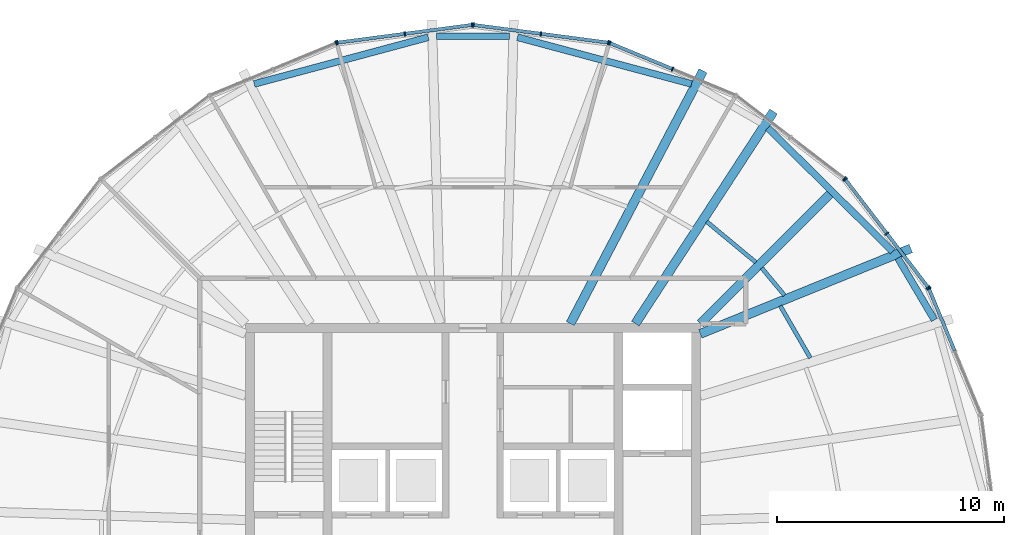
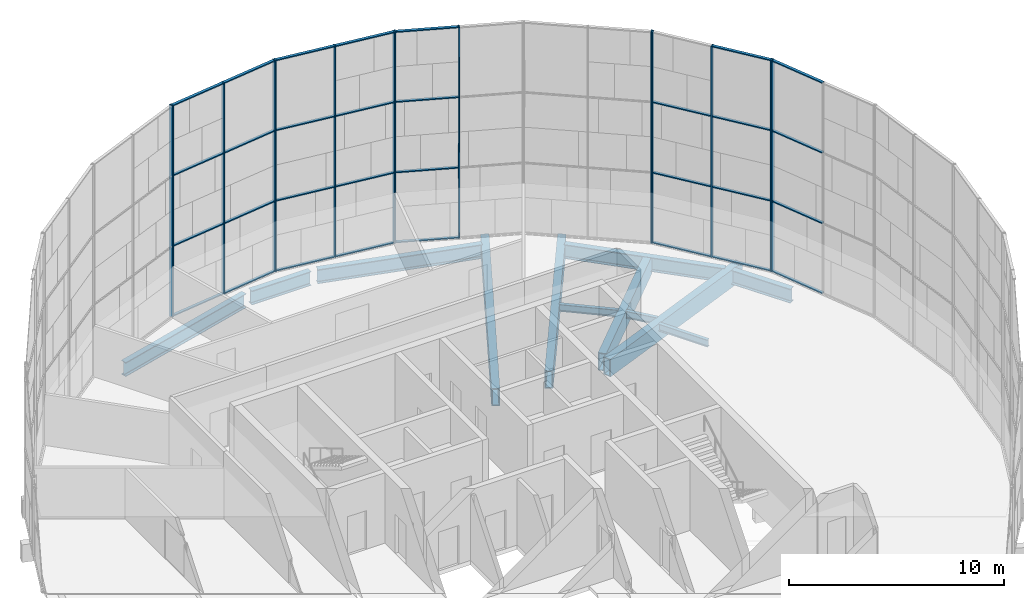
# One storey, part 7 of 23: 45 members, 12 beams, 7 elements without a shape of their own.
"""IFC4 building model written with IfcOpenShell, lengths in metres."""

from ifc_helpers import new_model, si_unit, direction, frame, origin, origin_2d, place, context, subcontext, project, spatial, rectangle, hollow_rectangle, i_section, extrude, material, material_profile, profile_set, type_object, element, aggregate, save


model = new_model("IFC4")

# Units and contexts
model_context = context("Model", 3, precision=1e-05, world=origin(), true_north=direction((0.0, 1.0)))
body_context = subcontext(model_context, "Body", "Model", "MODEL_VIEW")
ifc_project = project(units=[si_unit("LENGTHUNIT", "METRE"), si_unit("AREAUNIT", "SQUARE_METRE"), si_unit("VOLUMEUNIT", "CUBIC_METRE"), si_unit("PLANEANGLEUNIT", "RADIAN"), si_unit("MASSUNIT", "GRAM", prefix="KILO")], contexts=[model_context])

# Site, building, storey
site_placement = place(None, origin())
site = spatial("IfcSite", under=ifc_project, at=site_placement, CompositionType="ELEMENT")
building_placement = place(site_placement, origin())
building = spatial("IfcBuilding", under=site, at=building_placement, Name="Golbaran Civic Tower", CompositionType="ELEMENT")
storey_placement = place(building_placement, frame((0.0, 0.0, 220.0)))
storey = spatial("IfcBuildingStorey", under=building, at=storey_placement, Name="L53", CompositionType="ELEMENT", Elevation=220.0)

# Beams
ifc_material_1 = material(Name="Steel S355", Category="steel")
ifc_material_profile_1 = material_profile(ifc_material_1, i_section(OverallWidth=0.300048828125, OverallDepth=0.800048828125, WebThickness=0.017578125, FlangeThickness=0.032958984375, FilletRadius=0.030029296875, at=origin_2d()), Name="HEB 800")
ifc_profile_set_1 = profile_set([ifc_material_profile_1], Name="Steel S355")
beam_type_1 = type_object("IfcBeamType", Name="EDGE BEAM HEB 800", PredefinedType="BEAM", material=ifc_profile_set_1)
beam_1_placement = place(storey_placement, frame((20.289794921875, 10.162109375, -0.60009765625), z_axis=(-0.508797064338, 0.860886489219, 0.0), x_axis=(-0.860886489219, -0.508797064338, 0.0)))
element("IfcBeam", 1, at=beam_1_placement, inside=storey, type_object=beam_type_1, Name="Edge beam 25.65 L53", PredefinedType="BEAM", context=body_context, shape_type="SweptSolid", body=[
    extrude(i_section(OverallWidth=0.300048828125, OverallDepth=0.800048828125, WebThickness=0.017578125, FlangeThickness=0.032958984375, FilletRadius=0.030029296875, at=origin_2d()), origin(), (0.0, 0.0, 1.0), 3.156494140625),
])
beam_2_placement = place(storey_placement, frame((18.451904296875, 13.173828125, -0.60009765625), z_axis=(-0.710954638033, 0.703237870609, 0.0), x_axis=(-0.703237870609, -0.710954638033, 0.0)))
element("IfcBeam", 2, at=beam_2_placement, inside=storey, type_object=beam_type_1, Name="Edge beam 34.35 L53", PredefinedType="BEAM", context=body_context, shape_type="SweptSolid", body=[
    extrude(i_section(OverallWidth=0.300048828125, OverallDepth=0.800048828125, WebThickness=0.017578125, FlangeThickness=0.032958984375, FilletRadius=0.030029296875, at=origin_2d()), origin(), (0.0, 0.0, 1.0), 7.719482421875),
])
beam_3_placement = place(storey_placement, frame((9.61181640625, 20.534912109375, -0.60009765625), z_axis=(-0.965837946474, 0.259146794597, 0.0), x_axis=(-0.259146794597, -0.965837946474, 0.0)))
element("IfcBeam", 3, at=beam_3_placement, inside=storey, type_object=beam_type_1, Name="Edge beam 64.35 L53", PredefinedType="BEAM", context=body_context, shape_type="SweptSolid", body=[
    extrude(i_section(OverallWidth=0.300048828125, OverallDepth=0.800048828125, WebThickness=0.017578125, FlangeThickness=0.032958984375, FilletRadius=0.030029296875, at=origin_2d()), origin(), (0.0, 0.0, 1.0), 7.923095703125),
])
beam_4_placement = place(storey_placement, frame((1.6005859375, 22.63623046875, -0.60009765625), z_axis=(-1.0, 0.0, 0.0), x_axis=(0.0, -1.0, 0.0)))
element("IfcBeam", 4, at=beam_4_placement, inside=storey, type_object=beam_type_1, Name="Edge beam 85.65 L53", PredefinedType="BEAM", context=body_context, shape_type="SweptSolid", body=[
    extrude(i_section(OverallWidth=0.300048828125, OverallDepth=0.800048828125, WebThickness=0.017578125, FlangeThickness=0.032958984375, FilletRadius=0.030029296875, at=origin_2d()), origin(), (0.0, 0.0, 1.0), 3.201171875),
])
beam_5_placement = place(storey_placement, frame((-1.95947265625, 22.588134765625, -0.60009765625), z_axis=(-0.965837946474, -0.259146794597, 0.0), x_axis=(0.259146794597, -0.965837946474, 0.0)))
element("IfcBeam", 5, at=beam_5_placement, inside=storey, type_object=beam_type_1, Name="Edge beam 94.35 L53", PredefinedType="BEAM", context=body_context, shape_type="SweptSolid", body=[
    extrude(i_section(OverallWidth=0.300048828125, OverallDepth=0.800048828125, WebThickness=0.017578125, FlangeThickness=0.032958984375, FilletRadius=0.030029296875, at=origin_2d()), origin(), (0.0, 0.0, 1.0), 7.923095703125),
])
ifc_material_profile_2 = material_profile(ifc_material_1, i_section(OverallWidth=0.179931640625, OverallDepth=0.39990234375, WebThickness=0.008544921875, FlangeThickness=0.013427734375, FilletRadius=0.02099609375, at=origin_2d()), Name="IPE 400")
ifc_profile_set_2 = profile_set([ifc_material_profile_2], Name="Steel S355")
beam_type_2 = type_object("IfcBeamType", Name="FLOOR INFILL BEAM IPE 400", PredefinedType="BEAM", material=ifc_profile_set_2)
beam_6_placement = place(storey_placement, frame((14.8349609375, 8.490966796875, -0.39990234375), z_axis=(-0.500031469177, 0.866007234284, 0.0), x_axis=(-0.866007234284, -0.500031469177, 0.0)))
element("IfcBeam", 6, at=beam_6_placement, inside=storey, type_object=beam_type_2, Name="Infill beam 30.00 L53", PredefinedType="BEAM", context=body_context, shape_type="SweptSolid", body=[
    extrude(i_section(OverallWidth=0.179931640625, OverallDepth=0.39990234375, WebThickness=0.008544921875, FlangeThickness=0.013427734375, FilletRadius=0.02099609375, at=origin_2d()), origin(), (0.0, 0.0, 1.0), 2.644287109375),
])
beam_7_placement = place(storey_placement, frame((13.697265625, 11.244384765625, -0.39990234375), z_axis=(-0.638367510065, 0.769731720857, 0.0), x_axis=(-0.769731720857, -0.638367510065, 0.0)))
element("IfcBeam", 7, at=beam_7_placement, inside=storey, type_object=beam_type_2, Name="Infill beam 39.67 L53", PredefinedType="BEAM", context=body_context, shape_type="SweptSolid", body=[
    extrude(i_section(OverallWidth=0.179931640625, OverallDepth=0.39990234375, WebThickness=0.008544921875, FlangeThickness=0.013427734375, FilletRadius=0.02099609375, at=origin_2d()), origin(), (0.0, 0.0, 1.0), 1.56103515625),
])
beam_8_placement = place(storey_placement, frame((12.43798828125, 12.692626953125, -0.39990234375), z_axis=(-0.769689102047, 0.638418895546, 0.0), x_axis=(-0.638418895546, -0.769689102047, 0.0)))
element("IfcBeam", 8, at=beam_8_placement, inside=storey, type_object=beam_type_2, Name="Infill beam 50.33 L53", PredefinedType="BEAM", context=body_context, shape_type="SweptSolid", body=[
    extrude(i_section(OverallWidth=0.179931640625, OverallDepth=0.39990234375, WebThickness=0.008544921875, FlangeThickness=0.013427734375, FilletRadius=0.02099609375, at=origin_2d()), origin(), (0.0, 0.0, 1.0), 2.8046875),
])

# Curtain wall, member
ifc_material_2 = material(Name="Aluminium and glass", Category="aluminium")
curtain_wall_type = type_object("IfcCurtainWallType", Name="INNER SKIN CURTAIN WALL EXECUTIVE", PredefinedType="NOTDEFINED", material=ifc_material_2)
curtain_wall_1_placement = place(storey_placement, origin())
curtain_wall_1 = element("IfcCurtainWall", 9, at=curtain_wall_1_placement, inside=storey, type_object=curtain_wall_type, Name="Inner skin L53 facet 2 CW2", ObjectType="INNER SKIN", PredefinedType="USERDEFINED")
ifc_material_3 = material(Name="Aluminium", Category="aluminium")
ifc_material_profile_3 = material_profile(ifc_material_3, rectangle(XDim=0.199951171875, YDim=0.06005859375, at=origin_2d()), Name="INNER SKIN CURTAIN WALL EXECUTIVE MULLION")
ifc_profile_set_3 = profile_set([ifc_material_profile_3], Name="Aluminium")
member_type_1 = type_object("IfcMemberType", Name="INNER SKIN CURTAIN WALL EXECUTIVE MULLION", PredefinedType="MULLION", material=ifc_profile_set_3)
member_1_placement = place(storey_placement, frame((20.046142578125, 11.539306640625, 0.0), z_axis=(0.0, 0.0, 1.0), x_axis=(-0.923879532531, -0.382683432317, 0.0)))
member_1 = element("IfcMember", 10, at=member_1_placement, type_object=member_type_1, Name="CW2 mullion 3", PredefinedType="MULLION", context=body_context, shape_type="SweptSolid", body=[
    extrude(rectangle(XDim=0.199951171875, YDim=0.06005859375, at=origin_2d()), origin(), (0.0, 0.0, 1.0), 12.0),
])

# Curtain wall, members
curtain_wall_2_placement = place(storey_placement, origin())
curtain_wall_2 = element("IfcCurtainWall", 11, at=curtain_wall_2_placement, inside=storey, type_object=curtain_wall_type, Name="Inner skin L53 facet 3 CW2", ObjectType="INNER SKIN", PredefinedType="USERDEFINED")
member_2_placement = place(storey_placement, frame((20.016357421875, 11.5908203125, 0.0), z_axis=(0.0, 0.0, 1.0), x_axis=(-0.793353340312, -0.608761428981, 0.0)))
member_2 = element("IfcMember", 12, at=member_2_placement, type_object=member_type_1, Name="CW2 mullion 1", PredefinedType="MULLION", context=body_context, shape_type="SweptSolid", body=[
    extrude(rectangle(XDim=0.199951171875, YDim=0.06005859375, at=origin_2d()), origin(), (0.0, 0.0, 1.0), 12.0),
])
member_3_placement = place(storey_placement, frame((18.196533203125, 13.962646484375, 0.0), z_axis=(0.0, 0.0, 1.0), x_axis=(-0.793353340312, -0.608761428981, 0.0)))
member_3 = element("IfcMember", 13, at=member_3_placement, type_object=member_type_1, Name="CW2 mullion 2", PredefinedType="MULLION", context=body_context, shape_type="SweptSolid", body=[
    extrude(rectangle(XDim=0.199951171875, YDim=0.06005859375, at=origin_2d()), origin(), (0.0, 0.0, 1.0), 12.0),
])
member_4_placement = place(storey_placement, frame((16.37646484375, 16.33447265625, 0.0), z_axis=(0.0, 0.0, 1.0), x_axis=(-0.793353340312, -0.608761428981, 0.0)))
member_4 = element("IfcMember", 14, at=member_4_placement, type_object=member_type_1, Name="CW2 mullion 3", PredefinedType="MULLION", context=body_context, shape_type="SweptSolid", body=[
    extrude(rectangle(XDim=0.199951171875, YDim=0.06005859375, at=origin_2d()), origin(), (0.0, 0.0, 1.0), 12.0),
])

# Curtain wall, member
curtain_wall_3_placement = place(storey_placement, origin())
curtain_wall_3 = element("IfcCurtainWall", 15, at=curtain_wall_3_placement, inside=storey, type_object=curtain_wall_type, Name="Inner skin L53 facet 4 CW2", ObjectType="INNER SKIN", PredefinedType="USERDEFINED")
member_5_placement = place(storey_placement, frame((16.33447265625, 16.37646484375, 0.0), z_axis=(0.0, 0.0, 1.0), x_axis=(-0.608761428981, -0.793353340312, 0.0)))
member_5 = element("IfcMember", 16, at=member_5_placement, type_object=member_type_1, Name="CW2 mullion 1", PredefinedType="MULLION", context=body_context, shape_type="SweptSolid", body=[
    extrude(rectangle(XDim=0.199951171875, YDim=0.06005859375, at=origin_2d()), origin(), (0.0, 0.0, 1.0), 12.0),
])
aggregate(curtain_wall_3, [member_5])

# Curtain wall, members
curtain_wall_4_placement = place(storey_placement, origin())
curtain_wall_4 = element("IfcCurtainWall", 17, at=curtain_wall_4_placement, inside=storey, type_object=curtain_wall_type, Name="Inner skin L53 facet 5 CW2", ObjectType="INNER SKIN", PredefinedType="USERDEFINED")
member_6_placement = place(storey_placement, frame((8.77734375, 21.190185546875, 0.0), z_axis=(0.0, 0.0, 1.0), x_axis=(-0.382683432317, -0.923879532531, 0.0)))
member_6 = element("IfcMember", 18, at=member_6_placement, type_object=member_type_1, Name="CW2 mullion 2", PredefinedType="MULLION", context=body_context, shape_type="SweptSolid", body=[
    extrude(rectangle(XDim=0.199951171875, YDim=0.06005859375, at=origin_2d()), origin(), (0.0, 0.0, 1.0), 12.0),
])
member_7_placement = place(storey_placement, frame((6.01513671875, 22.334228515625, 0.0), z_axis=(0.0, 0.0, 1.0), x_axis=(-0.382683432317, -0.923879532531, 0.0)))
member_7 = element("IfcMember", 19, at=member_7_placement, type_object=member_type_1, Name="CW2 mullion 3", PredefinedType="MULLION", context=body_context, shape_type="SweptSolid", body=[
    extrude(rectangle(XDim=0.199951171875, YDim=0.06005859375, at=origin_2d()), origin(), (0.0, 0.0, 1.0), 12.0),
])

curtain_wall_5_placement = place(storey_placement, origin())
curtain_wall_5 = element("IfcCurtainWall", 20, at=curtain_wall_5_placement, inside=storey, type_object=curtain_wall_type, Name="Inner skin L53 facet 6 CW2", ObjectType="INNER SKIN", PredefinedType="USERDEFINED")
member_8_placement = place(storey_placement, frame((5.957763671875, 22.349609375, 0.0), z_axis=(0.0, 0.0, 1.0), x_axis=(-0.130526192289, -0.991444861365, 0.0)))
member_8 = element("IfcMember", 21, at=member_8_placement, type_object=member_type_1, Name="CW2 mullion 1", PredefinedType="MULLION", context=body_context, shape_type="SweptSolid", body=[
    extrude(rectangle(XDim=0.199951171875, YDim=0.06005859375, at=origin_2d()), origin(), (0.0, 0.0, 1.0), 12.0),
])
member_9_placement = place(storey_placement, frame((2.99365234375, 22.73974609375, 0.0), z_axis=(0.0, 0.0, 1.0), x_axis=(-0.130526192289, -0.991444861365, 0.0)))
member_9 = element("IfcMember", 22, at=member_9_placement, type_object=member_type_1, Name="CW2 mullion 2", PredefinedType="MULLION", context=body_context, shape_type="SweptSolid", body=[
    extrude(rectangle(XDim=0.199951171875, YDim=0.06005859375, at=origin_2d()), origin(), (0.0, 0.0, 1.0), 12.0),
])
member_10_placement = place(storey_placement, frame((0.02978515625, 23.130126953125, 0.0), z_axis=(0.0, 0.0, 1.0), x_axis=(-0.130526192289, -0.991444861365, 0.0)))
member_10 = element("IfcMember", 23, at=member_10_placement, type_object=member_type_1, Name="CW2 mullion 3", PredefinedType="MULLION", context=body_context, shape_type="SweptSolid", body=[
    extrude(rectangle(XDim=0.199951171875, YDim=0.06005859375, at=origin_2d()), origin(), (0.0, 0.0, 1.0), 12.0),
])

curtain_wall_6_placement = place(storey_placement, origin())
curtain_wall_6 = element("IfcCurtainWall", 24, at=curtain_wall_6_placement, inside=storey, type_object=curtain_wall_type, Name="Inner skin L53 facet 7 CW2", ObjectType="INNER SKIN", PredefinedType="USERDEFINED")
member_11_placement = place(storey_placement, frame((-0.02978515625, 23.130126953125, 0.0), z_axis=(0.0, 0.0, 1.0), x_axis=(0.130526192289, -0.991444861365, 0.0)))
member_11 = element("IfcMember", 25, at=member_11_placement, type_object=member_type_1, Name="CW2 mullion 1", PredefinedType="MULLION", context=body_context, shape_type="SweptSolid", body=[
    extrude(rectangle(XDim=0.199951171875, YDim=0.06005859375, at=origin_2d()), origin(), (0.0, 0.0, 1.0), 12.0),
])
member_12_placement = place(storey_placement, frame((-2.99365234375, 22.73974609375, 0.0), z_axis=(0.0, 0.0, 1.0), x_axis=(0.130526192289, -0.991444861365, 0.0)))
member_12 = element("IfcMember", 26, at=member_12_placement, type_object=member_type_1, Name="CW2 mullion 2", PredefinedType="MULLION", context=body_context, shape_type="SweptSolid", body=[
    extrude(rectangle(XDim=0.199951171875, YDim=0.06005859375, at=origin_2d()), origin(), (0.0, 0.0, 1.0), 12.0),
])
member_13_placement = place(storey_placement, frame((-5.957763671875, 22.349609375, 0.0), z_axis=(0.0, 0.0, 1.0), x_axis=(0.130526192289, -0.991444861365, 0.0)))
member_13 = element("IfcMember", 27, at=member_13_placement, type_object=member_type_1, Name="CW2 mullion 3", PredefinedType="MULLION", context=body_context, shape_type="SweptSolid", body=[
    extrude(rectangle(XDim=0.199951171875, YDim=0.06005859375, at=origin_2d()), origin(), (0.0, 0.0, 1.0), 12.0),
])

# Curtain wall, member
curtain_wall_7_placement = place(storey_placement, origin())
curtain_wall_7 = element("IfcCurtainWall", 28, at=curtain_wall_7_placement, inside=storey, type_object=curtain_wall_type, Name="Inner skin L53 facet 8 CW2", ObjectType="INNER SKIN", PredefinedType="USERDEFINED")
member_14_placement = place(storey_placement, frame((-6.01513671875, 22.334228515625, 0.0), z_axis=(0.0, 0.0, 1.0), x_axis=(0.382683432317, -0.923879532531, 0.0)))
member_14 = element("IfcMember", 29, at=member_14_placement, type_object=member_type_1, Name="CW2 mullion 1", PredefinedType="MULLION", context=body_context, shape_type="SweptSolid", body=[
    extrude(rectangle(XDim=0.199951171875, YDim=0.06005859375, at=origin_2d()), origin(), (0.0, 0.0, 1.0), 12.0),
])
aggregate(curtain_wall_7, [member_14])

# Member
ifc_material_profile_4 = material_profile(ifc_material_3, rectangle(XDim=0.14990234375, YDim=0.06005859375, at=origin_2d()), Name="INNER SKIN CURTAIN WALL EXECUTIVE TRANSOM")
ifc_profile_set_4 = profile_set([ifc_material_profile_4], Name="Aluminium")
member_type_2 = type_object("IfcMemberType", Name="INNER SKIN CURTAIN WALL EXECUTIVE TRANSOM", PredefinedType="USERDEFINED", material=ifc_profile_set_4)
member_15_placement = place(storey_placement, frame((21.1787109375, 8.804931640625, 0.030029296875), z_axis=(-0.382685455921, 0.923878694324, 0.0), x_axis=(-0.923878694324, -0.382685455921, 0.0)))
member_15 = element("IfcMember", 30, at=member_15_placement, type_object=member_type_2, Name="CW2 transom 2.1", ObjectType="TRANSOM", PredefinedType="USERDEFINED", context=body_context, shape_type="SweptSolid", body=[
    extrude(rectangle(XDim=0.14990234375, YDim=0.06005859375, at=origin_2d()), origin(), (0.0, 0.0, 1.0), 2.929443359375),
])

member_16_placement = place(storey_placement, frame((21.1787109375, 8.804931640625, 4.0), z_axis=(-0.382685455921, 0.923878694324, 0.0), x_axis=(-0.923878694324, -0.382685455921, 0.0)))
member_16 = element("IfcMember", 31, at=member_16_placement, type_object=member_type_2, Name="CW2 transom 2.2", ObjectType="TRANSOM", PredefinedType="USERDEFINED", context=body_context, shape_type="SweptSolid", body=[
    extrude(rectangle(XDim=0.14990234375, YDim=0.06005859375, at=origin_2d()), origin(), (0.0, 0.0, 1.0), 2.929443359375),
])

member_17_placement = place(storey_placement, frame((21.1787109375, 8.804931640625, 8.0), z_axis=(-0.382685455921, 0.923878694324, 0.0), x_axis=(-0.923878694324, -0.382685455921, 0.0)))
member_17 = element("IfcMember", 32, at=member_17_placement, type_object=member_type_2, Name="CW2 transom 2.3", ObjectType="TRANSOM", PredefinedType="USERDEFINED", context=body_context, shape_type="SweptSolid", body=[
    extrude(rectangle(XDim=0.14990234375, YDim=0.06005859375, at=origin_2d()), origin(), (0.0, 0.0, 1.0), 2.929443359375),
])

member_18_placement = place(storey_placement, frame((21.1787109375, 8.804931640625, 11.969970703125), z_axis=(-0.382685455921, 0.923878694324, 0.0), x_axis=(-0.923878694324, -0.382685455921, 0.0)))
member_18 = element("IfcMember", 33, at=member_18_placement, type_object=member_type_2, Name="CW2 transom 2.4", ObjectType="TRANSOM", PredefinedType="USERDEFINED", context=body_context, shape_type="SweptSolid", body=[
    extrude(rectangle(XDim=0.14990234375, YDim=0.06005859375, at=origin_2d()), origin(), (0.0, 0.0, 1.0), 2.929443359375),
])

aggregate(curtain_wall_1, [member_1, member_15, member_16, member_17, member_18])

member_19_placement = place(storey_placement, frame((19.998046875, 11.614501953125, 0.030029296875), z_axis=(-0.608763898154, 0.793351445643, 0.0), x_axis=(-0.793351445643, -0.608763898154, 0.0)))
member_19 = element("IfcMember", 34, at=member_19_placement, type_object=member_type_2, Name="CW2 transom 1.1", ObjectType="TRANSOM", PredefinedType="USERDEFINED", context=body_context, shape_type="SweptSolid", body=[
    extrude(rectangle(XDim=0.14990234375, YDim=0.06005859375, at=origin_2d()), origin(), (0.0, 0.0, 1.0), 2.9296875),
])

member_20_placement = place(storey_placement, frame((19.998046875, 11.614501953125, 4.0), z_axis=(-0.608763898154, 0.793351445643, 0.0), x_axis=(-0.793351445643, -0.608763898154, 0.0)))
member_20 = element("IfcMember", 35, at=member_20_placement, type_object=member_type_2, Name="CW2 transom 1.2", ObjectType="TRANSOM", PredefinedType="USERDEFINED", context=body_context, shape_type="SweptSolid", body=[
    extrude(rectangle(XDim=0.14990234375, YDim=0.06005859375, at=origin_2d()), origin(), (0.0, 0.0, 1.0), 2.9296875),
])

member_21_placement = place(storey_placement, frame((19.998046875, 11.614501953125, 8.0), z_axis=(-0.608763898154, 0.793351445643, 0.0), x_axis=(-0.793351445643, -0.608763898154, 0.0)))
member_21 = element("IfcMember", 36, at=member_21_placement, type_object=member_type_2, Name="CW2 transom 1.3", ObjectType="TRANSOM", PredefinedType="USERDEFINED", context=body_context, shape_type="SweptSolid", body=[
    extrude(rectangle(XDim=0.14990234375, YDim=0.06005859375, at=origin_2d()), origin(), (0.0, 0.0, 1.0), 2.9296875),
])

member_22_placement = place(storey_placement, frame((19.998046875, 11.614501953125, 11.969970703125), z_axis=(-0.608763898154, 0.793351445643, 0.0), x_axis=(-0.793351445643, -0.608763898154, 0.0)))
member_22 = element("IfcMember", 37, at=member_22_placement, type_object=member_type_2, Name="CW2 transom 1.4", ObjectType="TRANSOM", PredefinedType="USERDEFINED", context=body_context, shape_type="SweptSolid", body=[
    extrude(rectangle(XDim=0.14990234375, YDim=0.06005859375, at=origin_2d()), origin(), (0.0, 0.0, 1.0), 2.9296875),
])

member_23_placement = place(storey_placement, frame((18.17822265625, 13.986328125, 0.030029296875), z_axis=(-0.608763898154, 0.793351445643, 0.0), x_axis=(-0.793351445643, -0.608763898154, 0.0)))
member_23 = element("IfcMember", 38, at=member_23_placement, type_object=member_type_2, Name="CW2 transom 2.1", ObjectType="TRANSOM", PredefinedType="USERDEFINED", context=body_context, shape_type="SweptSolid", body=[
    extrude(rectangle(XDim=0.14990234375, YDim=0.06005859375, at=origin_2d()), origin(), (0.0, 0.0, 1.0), 2.9296875),
])

member_24_placement = place(storey_placement, frame((18.17822265625, 13.986328125, 4.0), z_axis=(-0.608763898154, 0.793351445643, 0.0), x_axis=(-0.793351445643, -0.608763898154, 0.0)))
member_24 = element("IfcMember", 39, at=member_24_placement, type_object=member_type_2, Name="CW2 transom 2.2", ObjectType="TRANSOM", PredefinedType="USERDEFINED", context=body_context, shape_type="SweptSolid", body=[
    extrude(rectangle(XDim=0.14990234375, YDim=0.06005859375, at=origin_2d()), origin(), (0.0, 0.0, 1.0), 2.9296875),
])

member_25_placement = place(storey_placement, frame((18.17822265625, 13.986328125, 8.0), z_axis=(-0.608763898154, 0.793351445643, 0.0), x_axis=(-0.793351445643, -0.608763898154, 0.0)))
member_25 = element("IfcMember", 40, at=member_25_placement, type_object=member_type_2, Name="CW2 transom 2.3", ObjectType="TRANSOM", PredefinedType="USERDEFINED", context=body_context, shape_type="SweptSolid", body=[
    extrude(rectangle(XDim=0.14990234375, YDim=0.06005859375, at=origin_2d()), origin(), (0.0, 0.0, 1.0), 2.9296875),
])

aggregate(curtain_wall_2, [member_2, member_3, member_4, member_19, member_20, member_21, member_22, member_23, member_24, member_25])

member_26_placement = place(storey_placement, frame((8.74951171875, 21.20166015625, 0.030029296875), z_axis=(-0.923878694324, 0.382685455921, 0.0), x_axis=(-0.382685455921, -0.923878694324, 0.0)))
member_26 = element("IfcMember", 41, at=member_26_placement, type_object=member_type_2, Name="CW2 transom 2.1", ObjectType="TRANSOM", PredefinedType="USERDEFINED", context=body_context, shape_type="SweptSolid", body=[
    extrude(rectangle(XDim=0.14990234375, YDim=0.06005859375, at=origin_2d()), origin(), (0.0, 0.0, 1.0), 2.929443359375),
])

member_27_placement = place(storey_placement, frame((8.74951171875, 21.20166015625, 4.0), z_axis=(-0.923878694324, 0.382685455921, 0.0), x_axis=(-0.382685455921, -0.923878694324, 0.0)))
member_27 = element("IfcMember", 42, at=member_27_placement, type_object=member_type_2, Name="CW2 transom 2.2", ObjectType="TRANSOM", PredefinedType="USERDEFINED", context=body_context, shape_type="SweptSolid", body=[
    extrude(rectangle(XDim=0.14990234375, YDim=0.06005859375, at=origin_2d()), origin(), (0.0, 0.0, 1.0), 2.929443359375),
])

member_28_placement = place(storey_placement, frame((8.74951171875, 21.20166015625, 8.0), z_axis=(-0.923878694324, 0.382685455921, 0.0), x_axis=(-0.382685455921, -0.923878694324, 0.0)))
member_28 = element("IfcMember", 43, at=member_28_placement, type_object=member_type_2, Name="CW2 transom 2.3", ObjectType="TRANSOM", PredefinedType="USERDEFINED", context=body_context, shape_type="SweptSolid", body=[
    extrude(rectangle(XDim=0.14990234375, YDim=0.06005859375, at=origin_2d()), origin(), (0.0, 0.0, 1.0), 2.929443359375),
])

member_29_placement = place(storey_placement, frame((8.74951171875, 21.20166015625, 11.969970703125), z_axis=(-0.923878694324, 0.382685455921, 0.0), x_axis=(-0.382685455921, -0.923878694324, 0.0)))
member_29 = element("IfcMember", 44, at=member_29_placement, type_object=member_type_2, Name="CW2 transom 2.4", ObjectType="TRANSOM", PredefinedType="USERDEFINED", context=body_context, shape_type="SweptSolid", body=[
    extrude(rectangle(XDim=0.14990234375, YDim=0.06005859375, at=origin_2d()), origin(), (0.0, 0.0, 1.0), 2.929443359375),
])

aggregate(curtain_wall_4, [member_6, member_7, member_26, member_27, member_28, member_29])

member_30_placement = place(storey_placement, frame((5.927978515625, 22.353515625, 0.030029296875), z_axis=(-0.991447770386, 0.130504094177, 0.0), x_axis=(-0.130504094177, -0.991447770386, 0.0)))
member_30 = element("IfcMember", 45, at=member_30_placement, type_object=member_type_2, Name="CW2 transom 1.1", ObjectType="TRANSOM", PredefinedType="USERDEFINED", context=body_context, shape_type="SweptSolid", body=[
    extrude(rectangle(XDim=0.14990234375, YDim=0.06005859375, at=origin_2d()), origin(), (0.0, 0.0, 1.0), 2.9296875),
])

member_31_placement = place(storey_placement, frame((5.927978515625, 22.353515625, 4.0), z_axis=(-0.991447770386, 0.130504094177, 0.0), x_axis=(-0.130504094177, -0.991447770386, 0.0)))
member_31 = element("IfcMember", 46, at=member_31_placement, type_object=member_type_2, Name="CW2 transom 1.2", ObjectType="TRANSOM", PredefinedType="USERDEFINED", context=body_context, shape_type="SweptSolid", body=[
    extrude(rectangle(XDim=0.14990234375, YDim=0.06005859375, at=origin_2d()), origin(), (0.0, 0.0, 1.0), 2.9296875),
])

member_32_placement = place(storey_placement, frame((5.927978515625, 22.353515625, 8.0), z_axis=(-0.991447770386, 0.130504094177, 0.0), x_axis=(-0.130504094177, -0.991447770386, 0.0)))
member_32 = element("IfcMember", 47, at=member_32_placement, type_object=member_type_2, Name="CW2 transom 1.3", ObjectType="TRANSOM", PredefinedType="USERDEFINED", context=body_context, shape_type="SweptSolid", body=[
    extrude(rectangle(XDim=0.14990234375, YDim=0.06005859375, at=origin_2d()), origin(), (0.0, 0.0, 1.0), 2.9296875),
])

member_33_placement = place(storey_placement, frame((5.927978515625, 22.353515625, 11.969970703125), z_axis=(-0.991447770386, 0.130504094177, 0.0), x_axis=(-0.130504094177, -0.991447770386, 0.0)))
member_33 = element("IfcMember", 48, at=member_33_placement, type_object=member_type_2, Name="CW2 transom 1.4", ObjectType="TRANSOM", PredefinedType="USERDEFINED", context=body_context, shape_type="SweptSolid", body=[
    extrude(rectangle(XDim=0.14990234375, YDim=0.06005859375, at=origin_2d()), origin(), (0.0, 0.0, 1.0), 2.9296875),
])

member_34_placement = place(storey_placement, frame((2.964111328125, 22.743896484375, 0.030029296875), z_axis=(-0.991447770386, 0.130504094177, 0.0), x_axis=(-0.130504094177, -0.991447770386, 0.0)))
member_34 = element("IfcMember", 49, at=member_34_placement, type_object=member_type_2, Name="CW2 transom 2.1", ObjectType="TRANSOM", PredefinedType="USERDEFINED", context=body_context, shape_type="SweptSolid", body=[
    extrude(rectangle(XDim=0.14990234375, YDim=0.06005859375, at=origin_2d()), origin(), (0.0, 0.0, 1.0), 2.9296875),
])

member_35_placement = place(storey_placement, frame((2.964111328125, 22.743896484375, 4.0), z_axis=(-0.991447770386, 0.130504094177, 0.0), x_axis=(-0.130504094177, -0.991447770386, 0.0)))
member_35 = element("IfcMember", 50, at=member_35_placement, type_object=member_type_2, Name="CW2 transom 2.2", ObjectType="TRANSOM", PredefinedType="USERDEFINED", context=body_context, shape_type="SweptSolid", body=[
    extrude(rectangle(XDim=0.14990234375, YDim=0.06005859375, at=origin_2d()), origin(), (0.0, 0.0, 1.0), 2.9296875),
])

member_36_placement = place(storey_placement, frame((2.964111328125, 22.743896484375, 8.0), z_axis=(-0.991447770386, 0.130504094177, 0.0), x_axis=(-0.130504094177, -0.991447770386, 0.0)))
member_36 = element("IfcMember", 51, at=member_36_placement, type_object=member_type_2, Name="CW2 transom 2.3", ObjectType="TRANSOM", PredefinedType="USERDEFINED", context=body_context, shape_type="SweptSolid", body=[
    extrude(rectangle(XDim=0.14990234375, YDim=0.06005859375, at=origin_2d()), origin(), (0.0, 0.0, 1.0), 2.9296875),
])

member_37_placement = place(storey_placement, frame((2.964111328125, 22.743896484375, 11.969970703125), z_axis=(-0.991447770386, 0.130504094177, 0.0), x_axis=(-0.130504094177, -0.991447770386, 0.0)))
member_37 = element("IfcMember", 52, at=member_37_placement, type_object=member_type_2, Name="CW2 transom 2.4", ObjectType="TRANSOM", PredefinedType="USERDEFINED", context=body_context, shape_type="SweptSolid", body=[
    extrude(rectangle(XDim=0.14990234375, YDim=0.06005859375, at=origin_2d()), origin(), (0.0, 0.0, 1.0), 2.9296875),
])

aggregate(curtain_wall_5, [member_8, member_9, member_10, member_30, member_31, member_32, member_33, member_34, member_35, member_36, member_37])

member_38_placement = place(storey_placement, frame((-0.0595703125, 23.126220703125, 0.030029296875), z_axis=(-0.991447770386, -0.130504094177, 0.0), x_axis=(0.130504094177, -0.991447770386, 0.0)))
member_38 = element("IfcMember", 53, at=member_38_placement, type_object=member_type_2, Name="CW2 transom 1.1", ObjectType="TRANSOM", PredefinedType="USERDEFINED", context=body_context, shape_type="SweptSolid", body=[
    extrude(rectangle(XDim=0.14990234375, YDim=0.06005859375, at=origin_2d()), origin(), (0.0, 0.0, 1.0), 2.9296875),
])

member_39_placement = place(storey_placement, frame((-0.0595703125, 23.126220703125, 4.0), z_axis=(-0.991447770386, -0.130504094177, 0.0), x_axis=(0.130504094177, -0.991447770386, 0.0)))
member_39 = element("IfcMember", 54, at=member_39_placement, type_object=member_type_2, Name="CW2 transom 1.2", ObjectType="TRANSOM", PredefinedType="USERDEFINED", context=body_context, shape_type="SweptSolid", body=[
    extrude(rectangle(XDim=0.14990234375, YDim=0.06005859375, at=origin_2d()), origin(), (0.0, 0.0, 1.0), 2.9296875),
])

member_40_placement = place(storey_placement, frame((-0.0595703125, 23.126220703125, 8.0), z_axis=(-0.991447770386, -0.130504094177, 0.0), x_axis=(0.130504094177, -0.991447770386, 0.0)))
member_40 = element("IfcMember", 55, at=member_40_placement, type_object=member_type_2, Name="CW2 transom 1.3", ObjectType="TRANSOM", PredefinedType="USERDEFINED", context=body_context, shape_type="SweptSolid", body=[
    extrude(rectangle(XDim=0.14990234375, YDim=0.06005859375, at=origin_2d()), origin(), (0.0, 0.0, 1.0), 2.9296875),
])

member_41_placement = place(storey_placement, frame((-0.0595703125, 23.126220703125, 11.969970703125), z_axis=(-0.991447770386, -0.130504094177, 0.0), x_axis=(0.130504094177, -0.991447770386, 0.0)))
member_41 = element("IfcMember", 56, at=member_41_placement, type_object=member_type_2, Name="CW2 transom 1.4", ObjectType="TRANSOM", PredefinedType="USERDEFINED", context=body_context, shape_type="SweptSolid", body=[
    extrude(rectangle(XDim=0.14990234375, YDim=0.06005859375, at=origin_2d()), origin(), (0.0, 0.0, 1.0), 2.9296875),
])

member_42_placement = place(storey_placement, frame((-3.0234375, 22.73583984375, 0.030029296875), z_axis=(-0.991447770386, -0.130504094177, 0.0), x_axis=(0.130504094177, -0.991447770386, 0.0)))
member_42 = element("IfcMember", 57, at=member_42_placement, type_object=member_type_2, Name="CW2 transom 2.1", ObjectType="TRANSOM", PredefinedType="USERDEFINED", context=body_context, shape_type="SweptSolid", body=[
    extrude(rectangle(XDim=0.14990234375, YDim=0.06005859375, at=origin_2d()), origin(), (0.0, 0.0, 1.0), 2.9296875),
])

member_43_placement = place(storey_placement, frame((-3.0234375, 22.73583984375, 4.0), z_axis=(-0.991447770386, -0.130504094177, 0.0), x_axis=(0.130504094177, -0.991447770386, 0.0)))
member_43 = element("IfcMember", 58, at=member_43_placement, type_object=member_type_2, Name="CW2 transom 2.2", ObjectType="TRANSOM", PredefinedType="USERDEFINED", context=body_context, shape_type="SweptSolid", body=[
    extrude(rectangle(XDim=0.14990234375, YDim=0.06005859375, at=origin_2d()), origin(), (0.0, 0.0, 1.0), 2.9296875),
])

member_44_placement = place(storey_placement, frame((-3.0234375, 22.73583984375, 8.0), z_axis=(-0.991447770386, -0.130504094177, 0.0), x_axis=(0.130504094177, -0.991447770386, 0.0)))
member_44 = element("IfcMember", 59, at=member_44_placement, type_object=member_type_2, Name="CW2 transom 2.3", ObjectType="TRANSOM", PredefinedType="USERDEFINED", context=body_context, shape_type="SweptSolid", body=[
    extrude(rectangle(XDim=0.14990234375, YDim=0.06005859375, at=origin_2d()), origin(), (0.0, 0.0, 1.0), 2.9296875),
])

member_45_placement = place(storey_placement, frame((-3.0234375, 22.73583984375, 11.969970703125), z_axis=(-0.991447770386, -0.130504094177, 0.0), x_axis=(0.130504094177, -0.991447770386, 0.0)))
member_45 = element("IfcMember", 60, at=member_45_placement, type_object=member_type_2, Name="CW2 transom 2.4", ObjectType="TRANSOM", PredefinedType="USERDEFINED", context=body_context, shape_type="SweptSolid", body=[
    extrude(rectangle(XDim=0.14990234375, YDim=0.06005859375, at=origin_2d()), origin(), (0.0, 0.0, 1.0), 2.9296875),
])

aggregate(curtain_wall_6, [member_11, member_12, member_13, member_38, member_39, member_40, member_41, member_42, member_43, member_44, member_45])

# Beams
ifc_material_profile_5 = material_profile(ifc_material_1, hollow_rectangle(XDim=0.39990234375, YDim=1.0, WallThickness=0.050048828125, at=origin_2d()), Name="BOX 1000x400x50")
ifc_profile_set_5 = profile_set([ifc_material_profile_5], Name="Steel S355")
beam_type_3 = type_object("IfcBeamType", Name="RADIAL FLOOR BEAM BOX 1000x400x50", PredefinedType="BEAM", material=ifc_profile_set_5)
beam_9_placement = place(storey_placement, frame((10.0, 9.550048828125, -0.7099609375), z_axis=(0.926620006077, 0.375999154704, 0.0), x_axis=(-0.375999154704, 0.926620006077, 0.0)))
element("IfcBeam", 61, at=beam_9_placement, inside=storey, type_object=beam_type_3, Name="Radial beam 34.35 L53", PredefinedType="BEAM", context=body_context, shape_type="SweptSolid", body=[
    extrude(hollow_rectangle(XDim=0.39990234375, YDim=1.0, WallThickness=0.050048828125, at=origin_2d()), origin(), (0.0, 0.0, 1.0), 9.982421875),
])
beam_10_placement = place(storey_placement, frame((7.142822265625, 10.0, -0.7099609375), z_axis=(0.545967278319, 0.837806499739, 0.0), x_axis=(-0.837806499739, 0.545967278319, 0.0)))
element("IfcBeam", 62, at=beam_10_placement, inside=storey, type_object=beam_type_3, Name="Radial beam 55.65 L53", PredefinedType="BEAM", context=body_context, shape_type="SweptSolid", body=[
    extrude(hollow_rectangle(XDim=0.39990234375, YDim=1.0, WallThickness=0.050048828125, at=origin_2d()), origin(), (0.0, 0.0, 1.0), 11.128662109375),
])
beam_11_placement = place(storey_placement, frame((4.28564453125, 10.0, -0.7099609375), z_axis=(0.464743920616, 0.885445135653, 0.0), x_axis=(-0.885445135653, 0.464743920616, 0.0)))
element("IfcBeam", 63, at=beam_11_placement, inside=storey, type_object=beam_type_3, Name="Radial beam 64.35 L53", PredefinedType="BEAM", context=body_context, shape_type="SweptSolid", body=[
    extrude(hollow_rectangle(XDim=0.39990234375, YDim=1.0, WallThickness=0.050048828125, at=origin_2d()), origin(), (0.0, 0.0, 1.0), 12.550048828125),
])
ifc_material_profile_6 = material_profile(ifc_material_1, hollow_rectangle(XDim=0.39990234375, YDim=1.0, WallThickness=0.0400390625, at=origin_2d()), Name="BOX 1000x400x40")
ifc_profile_set_6 = profile_set([ifc_material_profile_6], Name="Steel S355")
beam_type_4 = type_object("IfcBeamType", Name="SECONDARY FLOOR BEAM BOX 1000x400x40", PredefinedType="BEAM", material=ifc_profile_set_6)
beam_12_placement = place(storey_placement, frame((10.0, 10.0, -0.7099609375), z_axis=(0.707106781187, 0.707106781187, 0.0), x_axis=(-0.707106781187, 0.707106781187, 0.0)))
element("IfcBeam", 64, at=beam_12_placement, inside=storey, type_object=beam_type_4, Name="Secondary beam 45.00 L53", PredefinedType="BEAM", context=body_context, shape_type="SweptSolid", body=[
    extrude(hollow_rectangle(XDim=0.39990234375, YDim=1.0, WallThickness=0.0400390625, at=origin_2d()), origin(), (0.0, 0.0, 1.0), 8.2001953125),
])

save(model, "model.ifc")
